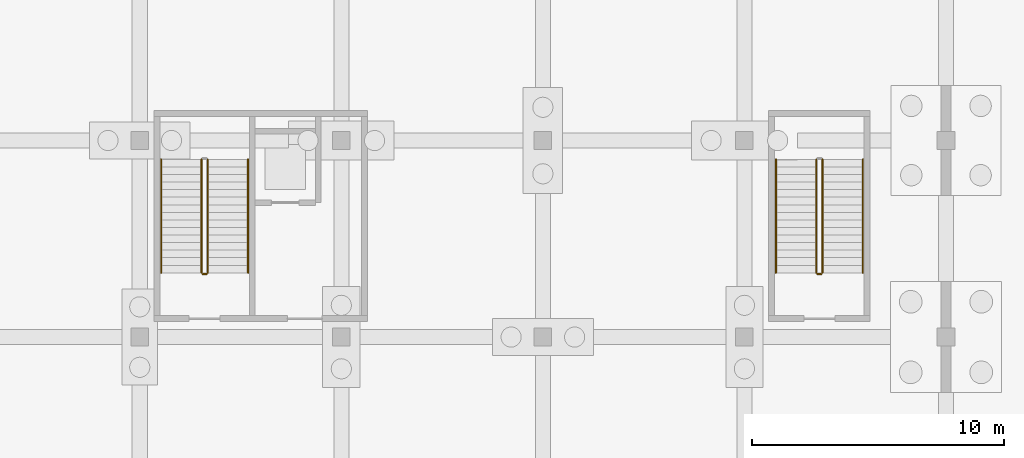
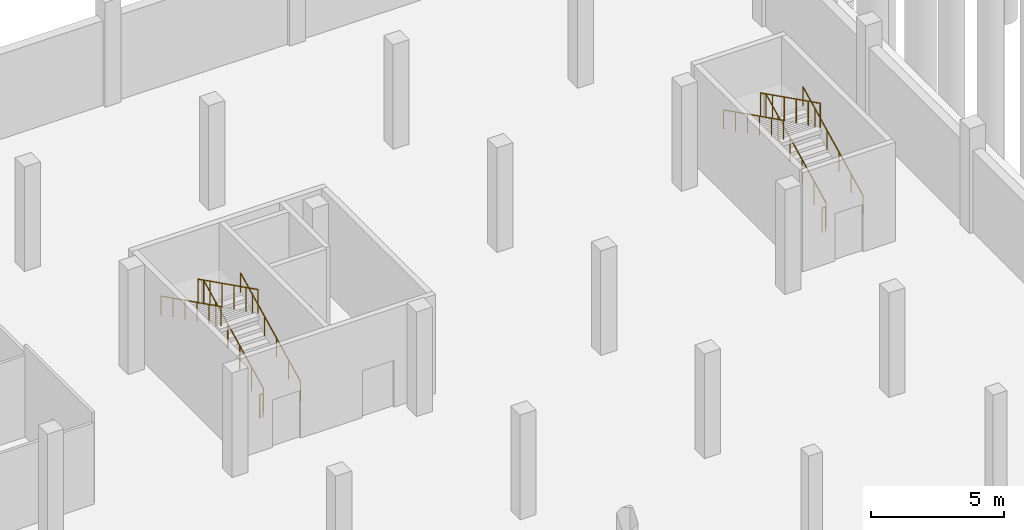
# One storey, part 38 of 44: 10 railings.
"""IFC4 building model written with IfcOpenShell, lengths in metres."""

from ifc_helpers import new_model, si_unit, direction, frame, origin, origin_2d, place, context, subcontext, project, spatial, circle, extrude, material, layer, layer_set, type_object, element, save


model = new_model("IFC4")

# Units and contexts
model_context = context("Model", 3, precision=1e-05, world=origin(), true_north=direction((0.0, 1.0)))
body_context = subcontext(model_context, "Body", "Model", "MODEL_VIEW")
ifc_project = project(units=[si_unit("LENGTHUNIT", "METRE"), si_unit("AREAUNIT", "SQUARE_METRE"), si_unit("VOLUMEUNIT", "CUBIC_METRE"), si_unit("PLANEANGLEUNIT", "RADIAN"), si_unit("MASSUNIT", "GRAM", prefix="KILO")], contexts=[model_context])

# Site, building, storey
site_placement = place(None, origin())
site = spatial("IfcSite", under=ifc_project, at=site_placement, CompositionType="ELEMENT")
building_placement = place(site_placement, origin())
building = spatial("IfcBuilding", under=site, at=building_placement, Name="Yukiwa Park Conservatory and Herbarium", CompositionType="ELEMENT")
storey_placement = place(building_placement, frame((0.0, 0.0, -4.800048828125)))
storey = spatial("IfcBuildingStorey", under=building, at=storey_placement, Name="B1", CompositionType="ELEMENT", Elevation=-4.800048828125)

# Railings
ifc_material_1 = material(Name="Steel Q235B", Category="steel")
ifc_layer_1 = layer(ifc_material_1, 0.050048828125)
ifc_layer_set_1 = layer_set([ifc_layer_1], Name="Steel Q235B")
railing_type_1 = type_object("IfcRailingType", Name="RL-STAIR-GUARD-1120", PredefinedType="BALUSTRADE", material=ifc_layer_set_1)
railing_1_placement = place(storey_placement, frame((78.699951171875, 57.14990234375, 0.150146484375)))
element("IfcRailing", 1, at=railing_1_placement, inside=storey, type_object=railing_type_1, Name="B1 ST-V1 stair guard 1", PredefinedType="BALUSTRADE", context=body_context, shape_type="SweptSolid", body=[
    extrude(circle(Radius=0.02392578125, at=origin_2d()), frame((0.0, 0.0, 1.09619140625), z_axis=(0.0, 0.894427191, 0.4472135955), x_axis=(-1.0, 0.0, 0.0)), (0.0, 0.0, 1.0), 5.03125),
    extrude(circle(Radius=0.02099609375, at=origin_2d()), origin(), (0.0, 0.0, 1.0), 1.072021484375),
    extrude(circle(Radius=0.02099609375, at=origin_2d()), frame((0.0, 0.89990234375, 0.449951171875)), (0.0, 0.0, 1.0), 1.072021484375),
    extrude(circle(Radius=0.02099609375, at=origin_2d()), frame((0.0, 1.800048828125, 0.89990234375)), (0.0, 0.0, 1.0), 1.072021484375),
    extrude(circle(Radius=0.02099609375, at=origin_2d()), frame((0.0, 2.699951171875, 1.35009765625)), (0.0, 0.0, 1.0), 1.072021484375),
    extrude(circle(Radius=0.02099609375, at=origin_2d()), frame((0.0, 3.60009765625, 1.800048828125)), (0.0, 0.0, 1.0), 1.072021484375),
    extrude(circle(Radius=0.02099609375, at=origin_2d()), frame((0.0, 4.5, 2.25)), (0.0, 0.0, 1.0), 1.072021484375),
])
railing_2_placement = place(storey_placement, frame((78.449951171875, 61.64990234375, 2.550048828125)))
element("IfcRailing", 2, at=railing_2_placement, inside=storey, type_object=railing_type_1, Name="B1 ST-V1 stair guard 3", PredefinedType="BALUSTRADE", context=body_context, shape_type="SweptSolid", body=[
    extrude(circle(Radius=0.02392578125, at=origin_2d()), frame((0.0, 0.0, 1.09619140625), z_axis=(0.0, -0.894427191, 0.4472135955), x_axis=(1.0, 0.0, 0.0)), (0.0, 0.0, 1.0), 5.03125),
    extrude(circle(Radius=0.02099609375, at=origin_2d()), origin(), (0.0, 0.0, 1.0), 1.072021484375),
    extrude(circle(Radius=0.02099609375, at=origin_2d()), frame((0.0, -0.89990234375, 0.449951171875)), (0.0, 0.0, 1.0), 1.072021484375),
    extrude(circle(Radius=0.02099609375, at=origin_2d()), frame((0.0, -1.800048828125, 0.89990234375)), (0.0, 0.0, 1.0), 1.072021484375),
    extrude(circle(Radius=0.02099609375, at=origin_2d()), frame((0.0, -2.699951171875, 1.35009765625)), (0.0, 0.0, 1.0), 1.072021484375),
    extrude(circle(Radius=0.02099609375, at=origin_2d()), frame((0.0, -3.60009765625, 1.800048828125)), (0.0, 0.0, 1.0), 1.072021484375),
    extrude(circle(Radius=0.02099609375, at=origin_2d()), frame((0.0, -4.5, 2.25)), (0.0, 0.0, 1.0), 1.072021484375),
])
railing_3_placement = place(storey_placement, frame((78.64990234375, 57.10009765625, 0.0)))
element("IfcRailing", 3, at=railing_3_placement, inside=storey, type_object=railing_type_1, Name="B1 ST-V1 stair guard 4", PredefinedType="BALUSTRADE", context=body_context, shape_type="SweptSolid", body=[
    extrude(circle(Radius=0.02392578125, at=origin_2d()), frame((0.0, 0.0, 1.09619140625), z_axis=(-1.0, 0.0, 0.0), x_axis=(0.0, -1.0, 0.0)), (0.0, 0.0, 1.0), 0.14990234375),
    extrude(circle(Radius=0.02099609375, at=origin_2d()), origin(), (0.0, 0.0, 1.0), 1.072021484375),
    extrude(circle(Radius=0.02099609375, at=origin_2d()), frame((-0.14990234375, 0.0, 0.0)), (0.0, 0.0, 1.0), 1.072021484375),
])
railing_4_placement = place(storey_placement, frame((103.10009765625, 57.14990234375, 0.150146484375)))
element("IfcRailing", 4, at=railing_4_placement, inside=storey, type_object=railing_type_1, Name="B1 ST-V2 stair guard 1", PredefinedType="BALUSTRADE", context=body_context, shape_type="SweptSolid", body=[
    extrude(circle(Radius=0.02392578125, at=origin_2d()), frame((0.0, 0.0, 1.09619140625), z_axis=(0.0, 0.894427191, 0.4472135955), x_axis=(-1.0, 0.0, 0.0)), (0.0, 0.0, 1.0), 5.03125),
    extrude(circle(Radius=0.02099609375, at=origin_2d()), origin(), (0.0, 0.0, 1.0), 1.072021484375),
    extrude(circle(Radius=0.02099609375, at=origin_2d()), frame((0.0, 0.89990234375, 0.449951171875)), (0.0, 0.0, 1.0), 1.072021484375),
    extrude(circle(Radius=0.02099609375, at=origin_2d()), frame((0.0, 1.800048828125, 0.89990234375)), (0.0, 0.0, 1.0), 1.072021484375),
    extrude(circle(Radius=0.02099609375, at=origin_2d()), frame((0.0, 2.699951171875, 1.35009765625)), (0.0, 0.0, 1.0), 1.072021484375),
    extrude(circle(Radius=0.02099609375, at=origin_2d()), frame((0.0, 3.60009765625, 1.800048828125)), (0.0, 0.0, 1.0), 1.072021484375),
    extrude(circle(Radius=0.02099609375, at=origin_2d()), frame((0.0, 4.5, 2.25)), (0.0, 0.0, 1.0), 1.072021484375),
])
railing_5_placement = place(storey_placement, frame((102.85009765625, 61.64990234375, 2.550048828125)))
element("IfcRailing", 5, at=railing_5_placement, inside=storey, type_object=railing_type_1, Name="B1 ST-V2 stair guard 3", PredefinedType="BALUSTRADE", context=body_context, shape_type="SweptSolid", body=[
    extrude(circle(Radius=0.02392578125, at=origin_2d()), frame((0.0, 0.0, 1.09619140625), z_axis=(0.0, -0.894427191, 0.4472135955), x_axis=(1.0, 0.0, 0.0)), (0.0, 0.0, 1.0), 5.03125),
    extrude(circle(Radius=0.02099609375, at=origin_2d()), origin(), (0.0, 0.0, 1.0), 1.072021484375),
    extrude(circle(Radius=0.02099609375, at=origin_2d()), frame((0.0, -0.89990234375, 0.449951171875)), (0.0, 0.0, 1.0), 1.072021484375),
    extrude(circle(Radius=0.02099609375, at=origin_2d()), frame((0.0, -1.800048828125, 0.89990234375)), (0.0, 0.0, 1.0), 1.072021484375),
    extrude(circle(Radius=0.02099609375, at=origin_2d()), frame((0.0, -2.699951171875, 1.35009765625)), (0.0, 0.0, 1.0), 1.072021484375),
    extrude(circle(Radius=0.02099609375, at=origin_2d()), frame((0.0, -3.60009765625, 1.800048828125)), (0.0, 0.0, 1.0), 1.072021484375),
    extrude(circle(Radius=0.02099609375, at=origin_2d()), frame((0.0, -4.5, 2.25)), (0.0, 0.0, 1.0), 1.072021484375),
])
railing_6_placement = place(storey_placement, frame((103.050048828125, 57.10009765625, 0.0)))
element("IfcRailing", 6, at=railing_6_placement, inside=storey, type_object=railing_type_1, Name="B1 ST-V2 stair guard 4", PredefinedType="BALUSTRADE", context=body_context, shape_type="SweptSolid", body=[
    extrude(circle(Radius=0.02392578125, at=origin_2d()), frame((0.0, 0.0, 1.09619140625), z_axis=(-1.0, 0.0, 0.0), x_axis=(0.0, -1.0, 0.0)), (0.0, 0.0, 1.0), 0.150146484375),
    extrude(circle(Radius=0.02099609375, at=origin_2d()), origin(), (0.0, 0.0, 1.0), 1.072021484375),
    extrude(circle(Radius=0.02099609375, at=origin_2d()), frame((-0.150146484375, 0.0, 0.0)), (0.0, 0.0, 1.0), 1.072021484375),
])
ifc_material_2 = material(Name="Steel Q235B", Category="steel")
ifc_layer_2 = layer(ifc_material_2, 0.044921875)
ifc_layer_set_2 = layer_set([ifc_layer_2], Name="Steel Q235B")
railing_type_2 = type_object("IfcRailingType", Name="RL-STAIR-RAIL-900", PredefinedType="HANDRAIL", material=ifc_layer_set_2)
railing_7_placement = place(storey_placement, frame((80.300048828125, 57.14990234375, 0.150146484375)))
element("IfcRailing", 7, at=railing_7_placement, inside=storey, type_object=railing_type_2, Name="B1 ST-V1 stair handrail 1", PredefinedType="HANDRAIL", context=body_context, shape_type="SweptSolid", body=[
    extrude(circle(Radius=0.02392578125, at=origin_2d()), frame((0.0, 0.0, 0.8759765625), z_axis=(0.0, 0.894427191, 0.4472135955), x_axis=(-1.0, 0.0, 0.0)), (0.0, 0.0, 1.0), 5.03125),
    extrude(circle(Radius=0.02099609375, at=origin_2d()), origin(), (0.0, 0.0, 1.0), 0.851806640625),
    extrude(circle(Radius=0.02099609375, at=origin_2d()), frame((0.0, 0.89990234375, 0.449951171875)), (0.0, 0.0, 1.0), 0.851806640625),
    extrude(circle(Radius=0.02099609375, at=origin_2d()), frame((0.0, 1.800048828125, 0.89990234375)), (0.0, 0.0, 1.0), 0.851806640625),
    extrude(circle(Radius=0.02099609375, at=origin_2d()), frame((0.0, 2.699951171875, 1.35009765625)), (0.0, 0.0, 1.0), 0.851806640625),
    extrude(circle(Radius=0.02099609375, at=origin_2d()), frame((0.0, 3.60009765625, 1.800048828125)), (0.0, 0.0, 1.0), 0.851806640625),
    extrude(circle(Radius=0.02099609375, at=origin_2d()), frame((0.0, 4.5, 2.25)), (0.0, 0.0, 1.0), 0.851806640625),
])
railing_8_placement = place(storey_placement, frame((76.85009765625, 61.64990234375, 2.550048828125)))
element("IfcRailing", 8, at=railing_8_placement, inside=storey, type_object=railing_type_2, Name="B1 ST-V1 stair handrail 2", PredefinedType="HANDRAIL", context=body_context, shape_type="SweptSolid", body=[
    extrude(circle(Radius=0.02392578125, at=origin_2d()), frame((0.0, 0.0, 0.8759765625), z_axis=(0.0, -0.894427191, 0.4472135955), x_axis=(1.0, 0.0, 0.0)), (0.0, 0.0, 1.0), 5.03125),
    extrude(circle(Radius=0.02099609375, at=origin_2d()), origin(), (0.0, 0.0, 1.0), 0.851806640625),
    extrude(circle(Radius=0.02099609375, at=origin_2d()), frame((0.0, -0.89990234375, 0.449951171875)), (0.0, 0.0, 1.0), 0.851806640625),
    extrude(circle(Radius=0.02099609375, at=origin_2d()), frame((0.0, -1.800048828125, 0.89990234375)), (0.0, 0.0, 1.0), 0.851806640625),
    extrude(circle(Radius=0.02099609375, at=origin_2d()), frame((0.0, -2.699951171875, 1.35009765625)), (0.0, 0.0, 1.0), 0.851806640625),
    extrude(circle(Radius=0.02099609375, at=origin_2d()), frame((0.0, -3.60009765625, 1.800048828125)), (0.0, 0.0, 1.0), 0.851806640625),
    extrude(circle(Radius=0.02099609375, at=origin_2d()), frame((0.0, -4.5, 2.25)), (0.0, 0.0, 1.0), 0.851806640625),
])
railing_9_placement = place(storey_placement, frame((104.699951171875, 57.14990234375, 0.150146484375)))
element("IfcRailing", 9, at=railing_9_placement, inside=storey, type_object=railing_type_2, Name="B1 ST-V2 stair handrail 1", PredefinedType="HANDRAIL", context=body_context, shape_type="SweptSolid", body=[
    extrude(circle(Radius=0.02392578125, at=origin_2d()), frame((0.0, 0.0, 0.8759765625), z_axis=(0.0, 0.894427191, 0.4472135955), x_axis=(-1.0, 0.0, 0.0)), (0.0, 0.0, 1.0), 5.03125),
    extrude(circle(Radius=0.02099609375, at=origin_2d()), origin(), (0.0, 0.0, 1.0), 0.851806640625),
    extrude(circle(Radius=0.02099609375, at=origin_2d()), frame((0.0, 0.89990234375, 0.449951171875)), (0.0, 0.0, 1.0), 0.851806640625),
    extrude(circle(Radius=0.02099609375, at=origin_2d()), frame((0.0, 1.800048828125, 0.89990234375)), (0.0, 0.0, 1.0), 0.851806640625),
    extrude(circle(Radius=0.02099609375, at=origin_2d()), frame((0.0, 2.699951171875, 1.35009765625)), (0.0, 0.0, 1.0), 0.851806640625),
    extrude(circle(Radius=0.02099609375, at=origin_2d()), frame((0.0, 3.60009765625, 1.800048828125)), (0.0, 0.0, 1.0), 0.851806640625),
    extrude(circle(Radius=0.02099609375, at=origin_2d()), frame((0.0, 4.5, 2.25)), (0.0, 0.0, 1.0), 0.851806640625),
])
railing_10_placement = place(storey_placement, frame((101.25, 61.64990234375, 2.550048828125)))
element("IfcRailing", 10, at=railing_10_placement, inside=storey, type_object=railing_type_2, Name="B1 ST-V2 stair handrail 2", PredefinedType="HANDRAIL", context=body_context, shape_type="SweptSolid", body=[
    extrude(circle(Radius=0.02392578125, at=origin_2d()), frame((0.0, 0.0, 0.8759765625), z_axis=(0.0, -0.894427191, 0.4472135955), x_axis=(1.0, 0.0, 0.0)), (0.0, 0.0, 1.0), 5.03125),
    extrude(circle(Radius=0.02099609375, at=origin_2d()), origin(), (0.0, 0.0, 1.0), 0.851806640625),
    extrude(circle(Radius=0.02099609375, at=origin_2d()), frame((0.0, -0.89990234375, 0.449951171875)), (0.0, 0.0, 1.0), 0.851806640625),
    extrude(circle(Radius=0.02099609375, at=origin_2d()), frame((0.0, -1.800048828125, 0.89990234375)), (0.0, 0.0, 1.0), 0.851806640625),
    extrude(circle(Radius=0.02099609375, at=origin_2d()), frame((0.0, -2.699951171875, 1.35009765625)), (0.0, 0.0, 1.0), 0.851806640625),
    extrude(circle(Radius=0.02099609375, at=origin_2d()), frame((0.0, -3.60009765625, 1.800048828125)), (0.0, 0.0, 1.0), 0.851806640625),
    extrude(circle(Radius=0.02099609375, at=origin_2d()), frame((0.0, -4.5, 2.25)), (0.0, 0.0, 1.0), 0.851806640625),
])

save(model, "model.ifc")
